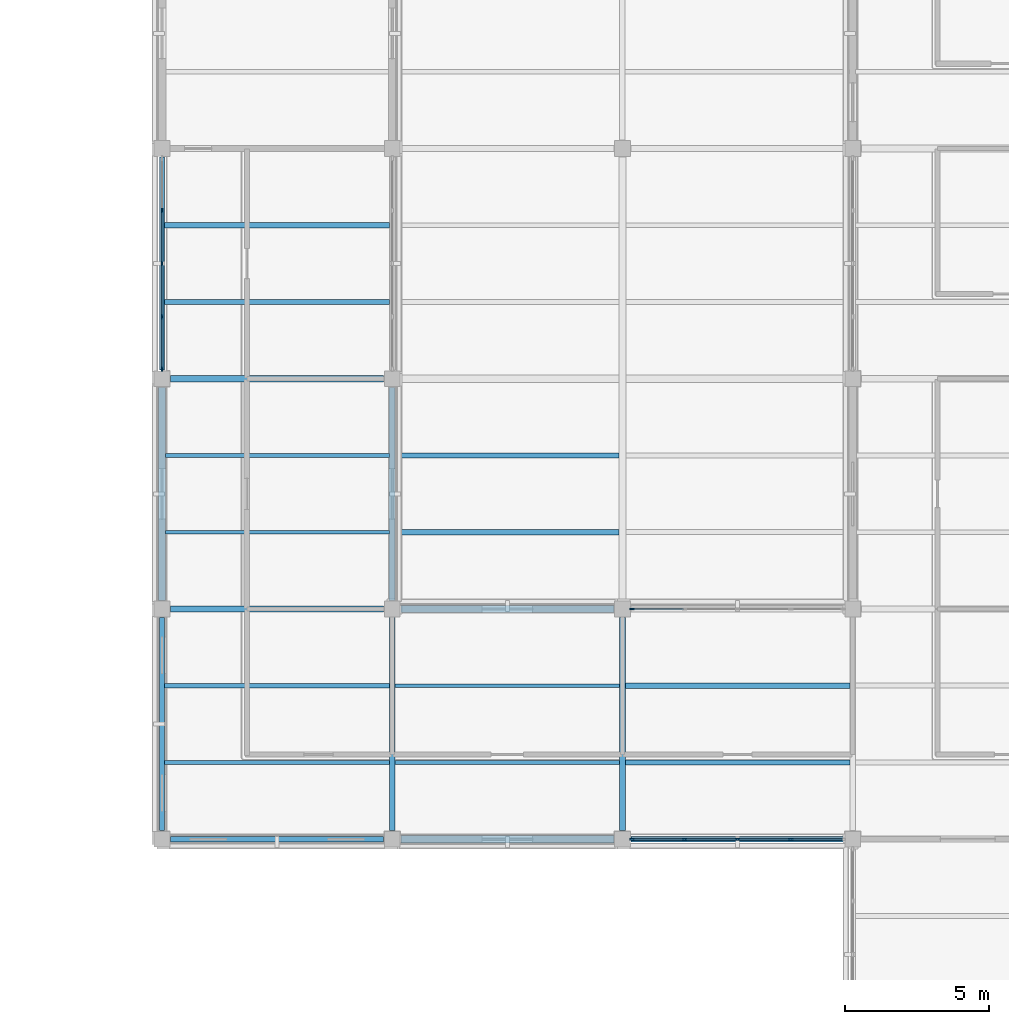
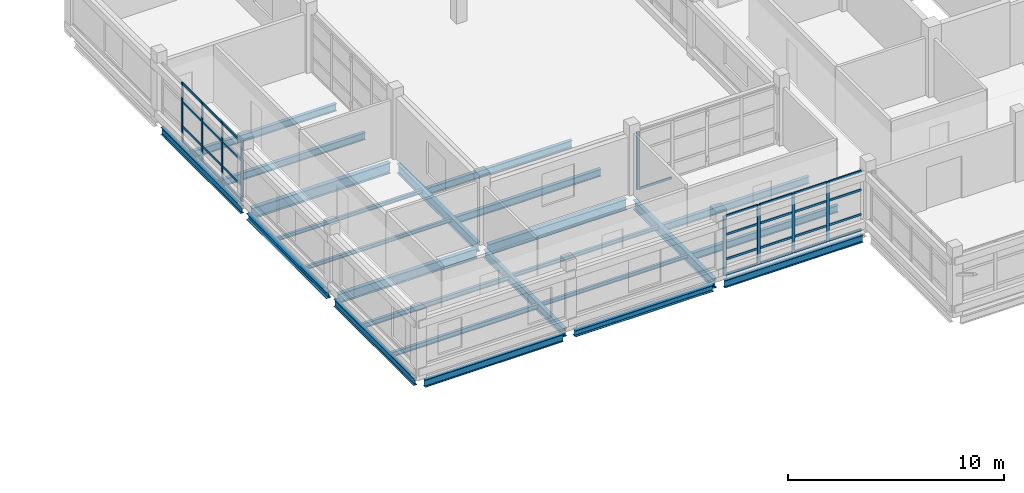
# One storey, part 38 of 107: 38 members, 24 beams, 3 elements without a shape of their own.
"""IFC4 building model written with IfcOpenShell, lengths in metres."""

from ifc_helpers import new_model, si_unit, derived_unit, direction, frame, origin, origin_2d, place, context, subcontext, project, spatial, rectangle, i_section, extrude, material, layer, layer_set, material_profile, profile_set, type_object, element, aggregate, save


model = new_model("IFC4")

# Units and contexts
model_context = context("Model", 3, precision=1e-05, world=origin(), true_north=direction((0.0, 1.0)))
body_context = subcontext(model_context, "Body", "Model", "MODEL_VIEW")
ifc_project = project(units=[si_unit("LENGTHUNIT", "METRE"), si_unit("AREAUNIT", "SQUARE_METRE"), si_unit("VOLUMEUNIT", "CUBIC_METRE"), si_unit("PLANEANGLEUNIT", "RADIAN"), si_unit("MASSUNIT", "GRAM", prefix="KILO"), derived_unit("THERMALTRANSMITTANCEUNIT", [(si_unit("MASSUNIT", "GRAM", prefix="KILO"), 1), (si_unit("TIMEUNIT", "SECOND"), -3), (si_unit("THERMODYNAMICTEMPERATUREUNIT", "KELVIN"), -1)])], contexts=[model_context])

# Site, building, storey
site_placement = place(None, origin())
site = spatial("IfcSite", under=ifc_project, at=site_placement, CompositionType="ELEMENT")
building_placement = place(site_placement, origin())
building = spatial("IfcBuilding", under=site, at=building_placement, Name="Veyamyaing Civic Hall", CompositionType="ELEMENT")
storey_placement = place(building_placement, frame((0.0, 0.0, 13.860107421875)))
storey = spatial("IfcBuildingStorey", under=building, at=storey_placement, Name="L03", CompositionType="ELEMENT", Elevation=13.860107421875)

# Beams
ifc_material_1 = material(Name="Steel ASTM A992", Category="steel")
ifc_material_profile_1 = material_profile(ifc_material_1, i_section(OverallWidth=0.22802734375, OverallDepth=0.60791015625, WebThickness=0.01123046875, FlangeThickness=0.017333984375, FilletRadius=0.012939453125, at=origin_2d()), Name="W610X113")
ifc_profile_set_1 = profile_set([ifc_material_profile_1], Name="Steel ASTM A992")
beam_type_1 = type_object("IfcBeamType", Name="B-06", PredefinedType="BEAM", material=ifc_profile_set_1)
for number, where, z_axis, x_axis, name in (
    (1, (144.300048828125, 16.0, -0.55908203125), (1.0, 0.0, 0.0), (0.0, 1.0, 0.0), "Girder B-06 L03 Grid C 19-20"),
    (2, (136.300048828125, 24.0, -0.55908203125), (1.0, 0.0, 0.0), (0.0, 1.0, 0.0), "Girder B-06 L03 Grid D 18-19"),
):
    element("IfcBeam", number, at=place(storey_placement, frame(where, z_axis=z_axis, x_axis=x_axis)), inside=storey, type_object=beam_type_1, Name=name, PredefinedType="BEAM", context=body_context, shape_type="SweptSolid", body=[
        extrude(i_section(OverallWidth=0.22802734375, OverallDepth=0.60791015625, WebThickness=0.01123046875, FlangeThickness=0.017333984375, FilletRadius=0.012939453125, at=origin_2d()), origin(), (0.0, 0.0, 1.0), 7.39990234375),
    ])
ifc_material_profile_2 = material_profile(ifc_material_1, i_section(OverallWidth=0.208984375, OverallDepth=0.532958984375, WebThickness=0.01025390625, FlangeThickness=0.015625, FilletRadius=0.011962890625, at=origin_2d()), Name="W530X92")
ifc_profile_set_2 = profile_set([ifc_material_profile_2], Name="Steel ASTM A992")
beam_type_2 = type_object("IfcBeamType", Name="B-07", PredefinedType="BEAM", material=ifc_profile_set_2)
for number, where, z_axis, x_axis, name in (
    (3, (144.0, 16.300048828125, -0.521728515625), (0.0, 1.0, 0.0), (-1.0, 0.0, 0.0), "Girder B-07 L03 Grid 19 C-D"),
    (4, (152.0, 8.300048828125, -0.521728515625), (0.0, 1.0, 0.0), (-1.0, 0.0, 0.0), "Girder B-07 L03 Grid 20 B-C"),
):
    element("IfcBeam", number, at=place(storey_placement, frame(where, z_axis=z_axis, x_axis=x_axis)), inside=storey, type_object=beam_type_2, Name=name, PredefinedType="BEAM", context=body_context, shape_type="SweptSolid", body=[
        extrude(i_section(OverallWidth=0.208984375, OverallDepth=0.532958984375, WebThickness=0.01025390625, FlangeThickness=0.015625, FilletRadius=0.011962890625, at=origin_2d()), origin(), (0.0, 0.0, 1.0), 7.39990234375),
    ])
ifc_material_profile_3 = material_profile(ifc_material_1, i_section(OverallWidth=0.179931640625, OverallDepth=0.4130859375, WebThickness=0.009765625, FlangeThickness=0.01611328125, FilletRadius=0.010009765625, at=origin_2d()), Name="W410X74")
ifc_profile_set_3 = profile_set([ifc_material_profile_3], Name="Steel ASTM A992")
beam_type_3 = type_object("IfcBeamType", Name="B-10", PredefinedType="SPANDREL", material=ifc_profile_set_3)
for number, where, z_axis, x_axis, name in (
    (5, (152.300048828125, 8.0, -0.461669921875), (1.0, 0.0, 0.0), (0.0, 1.0, 0.0), "Girder B-10 L03 Grid B 20-21"),
    (6, (136.0, 24.300048828125, -0.461669921875), (0.0, 1.0, 0.0), (-1.0, 0.0, 0.0), "Girder B-10 L03 Grid 18 D-E"),
):
    element("IfcBeam", number, at=place(storey_placement, frame(where, z_axis=z_axis, x_axis=x_axis)), inside=storey, type_object=beam_type_3, Name=name, PredefinedType="SPANDREL", context=body_context, shape_type="SweptSolid", body=[
        extrude(i_section(OverallWidth=0.179931640625, OverallDepth=0.4130859375, WebThickness=0.009765625, FlangeThickness=0.01611328125, FilletRadius=0.010009765625, at=origin_2d()), origin(), (0.0, 0.0, 1.0), 7.39990234375),
    ])
ifc_material_profile_4 = material_profile(ifc_material_1, i_section(OverallWidth=0.2109375, OverallDepth=0.5390625, WebThickness=0.01171875, FlangeThickness=0.018798828125, FilletRadius=0.011962890625, at=origin_2d()), Name="W530X109")
ifc_profile_set_4 = profile_set([ifc_material_profile_4], Name="Steel ASTM A992")
beam_type_4 = type_object("IfcBeamType", Name="B-17", PredefinedType="BEAM", material=ifc_profile_set_4)
beam_1_placement = place(storey_placement, frame((136.300048828125, 16.0, -0.524658203125), z_axis=(1.0, 0.0, 0.0), x_axis=(0.0, 1.0, 0.0)))
element("IfcBeam", 7, at=beam_1_placement, inside=storey, type_object=beam_type_4, Name="Girder B-17 L03 Grid C 18-19", PredefinedType="BEAM", context=body_context, shape_type="SweptSolid", body=[
    extrude(i_section(OverallWidth=0.2109375, OverallDepth=0.5390625, WebThickness=0.01171875, FlangeThickness=0.018798828125, FilletRadius=0.011962890625, at=origin_2d()), origin(), (0.0, 0.0, 1.0), 7.39990234375),
])
ifc_material_profile_5 = material_profile(ifc_material_1, i_section(OverallWidth=0.194091796875, OverallDepth=0.468994140625, WebThickness=0.0126953125, FlangeThickness=0.0205078125, FilletRadius=0.010009765625, at=origin_2d()), Name="W460X106")
ifc_profile_set_5 = profile_set([ifc_material_profile_5], Name="Steel ASTM A992")
beam_type_5 = type_object("IfcBeamType", Name="B-18", PredefinedType="BEAM", material=ifc_profile_set_5)
beam_2_placement = place(storey_placement, frame((144.0, 8.300048828125, -0.489501953125), z_axis=(0.0, 1.0, 0.0), x_axis=(-1.0, 0.0, 0.0)))
element("IfcBeam", 8, at=beam_2_placement, inside=storey, type_object=beam_type_5, Name="Girder B-18 L03 Grid 19 B-C", PredefinedType="BEAM", context=body_context, shape_type="SweptSolid", body=[
    extrude(i_section(OverallWidth=0.194091796875, OverallDepth=0.468994140625, WebThickness=0.0126953125, FlangeThickness=0.0205078125, FilletRadius=0.010009765625, at=origin_2d()), origin(), (0.0, 0.0, 1.0), 7.39990234375),
])
ifc_material_profile_6 = material_profile(ifc_material_1, i_section(OverallWidth=0.180908203125, OverallDepth=0.4169921875, WebThickness=0.010986328125, FlangeThickness=0.018310546875, FilletRadius=0.010009765625, at=origin_2d()), Name="W410X85")
ifc_profile_set_6 = profile_set([ifc_material_profile_6], Name="Steel ASTM A992")
beam_type_6 = type_object("IfcBeamType", Name="B-19", PredefinedType="SPANDREL", material=ifc_profile_set_6)
for number, where, z_axis, x_axis, name in (
    (9, (136.300048828125, 8.0, -0.463623046875), (1.0, 0.0, 0.0), (0.0, 1.0, 0.0), "Girder B-19 L03 Grid B 18-19"),
    (10, (136.0, 8.300048828125, -0.463623046875), (0.0, 1.0, 0.0), (-1.0, 0.0, 0.0), "Girder B-19 L03 Grid 18 B-C"),
):
    element("IfcBeam", number, at=place(storey_placement, frame(where, z_axis=z_axis, x_axis=x_axis)), inside=storey, type_object=beam_type_6, Name=name, PredefinedType="SPANDREL", context=body_context, shape_type="SweptSolid", body=[
        extrude(i_section(OverallWidth=0.180908203125, OverallDepth=0.4169921875, WebThickness=0.010986328125, FlangeThickness=0.018310546875, FilletRadius=0.010009765625, at=origin_2d()), origin(), (0.0, 0.0, 1.0), 7.39990234375),
    ])
ifc_material_profile_7 = material_profile(ifc_material_1, i_section(OverallWidth=0.25390625, OverallDepth=0.35302734375, WebThickness=0.009521484375, FlangeThickness=0.016357421875, FilletRadius=0.011962890625, at=origin_2d()), Name="W360X91")
ifc_profile_set_7 = profile_set([ifc_material_profile_7], Name="Steel ASTM A992")
beam_type_7 = type_object("IfcBeamType", Name="B-20", PredefinedType="SPANDREL", material=ifc_profile_set_7)
for number, where, z_axis, x_axis, name in (
    (11, (144.300048828125, 8.0, -0.431640625), (1.0, 0.0, 0.0), (0.0, 1.0, 0.0), "Girder B-20 L03 Grid B 19-20"),
    (12, (136.0, 16.300048828125, -0.431640625), (0.0, 1.0, 0.0), (-1.0, 0.0, 0.0), "Girder B-20 L03 Grid 18 C-D"),
):
    element("IfcBeam", number, at=place(storey_placement, frame(where, z_axis=z_axis, x_axis=x_axis)), inside=storey, type_object=beam_type_7, Name=name, PredefinedType="SPANDREL", context=body_context, shape_type="SweptSolid", body=[
        extrude(i_section(OverallWidth=0.25390625, OverallDepth=0.35302734375, WebThickness=0.009521484375, FlangeThickness=0.016357421875, FilletRadius=0.011962890625, at=origin_2d()), origin(), (0.0, 0.0, 1.0), 7.39990234375),
    ])

# Curtain wall, members
ifc_material_2 = material(Name="Anodised aluminium 6063-T6", Category="aluminium")
ifc_layer = layer(ifc_material_2, 0.159912109375, Name="Anodised aluminium 6063-T6")
ifc_layer_set = layer_set([ifc_layer], Name="Anodised aluminium 6063-T6")
curtain_wall_type = type_object("IfcCurtainWallType", Name="CW-07", PredefinedType="NOTDEFINED", material=ifc_layer_set)
curtain_wall_1_placement = place(storey_placement, origin())
curtain_wall_1 = element("IfcCurtainWall", 13, at=curtain_wall_1_placement, inside=storey, type_object=curtain_wall_type, Name="Unitized curtain wall CW-07 L03 W 18.4", PredefinedType="NOTDEFINED")
ifc_material_profile_8 = material_profile(ifc_material_2, rectangle(XDim=0.06494140625, YDim=0.159912109375, at=origin_2d()), Name="ALU-MUL-65X160")
ifc_profile_set_8 = profile_set([ifc_material_profile_8], Name="Anodised aluminium 6063-T6")
member_type_1 = type_object("IfcMemberType", Name="CWM-01", PredefinedType="MULLION", material=ifc_profile_set_8)
member_1_placement = place(storey_placement, frame((136.0, 24.33740234375, 0.0), z_axis=(0.0, 0.0, 1.0), x_axis=(-1.0, 0.0, 0.0)))
member_1 = element("IfcMember", 14, at=member_1_placement, type_object=member_type_1, Name="CW-07 mullion 1", PredefinedType="MULLION", context=body_context, shape_type="SweptSolid", body=[
    extrude(rectangle(XDim=0.06494140625, YDim=0.159912109375, at=origin_2d()), origin(), (0.0, 0.0, 1.0), 3.36181640625),
])
member_2_placement = place(storey_placement, frame((136.0, 26.152587890625, 0.0), z_axis=(0.0, 0.0, 1.0), x_axis=(-1.0, 0.0, 0.0)))
member_2 = element("IfcMember", 15, at=member_2_placement, type_object=member_type_1, Name="CW-07 mullion 2", PredefinedType="MULLION", context=body_context, shape_type="SweptSolid", body=[
    extrude(rectangle(XDim=0.06494140625, YDim=0.159912109375, at=origin_2d()), origin(), (0.0, 0.0, 1.0), 3.36181640625),
])
member_3_placement = place(storey_placement, frame((136.0, 28.0, 0.0), z_axis=(0.0, 0.0, 1.0), x_axis=(-1.0, 0.0, 0.0)))
member_3 = element("IfcMember", 16, at=member_3_placement, type_object=member_type_1, Name="CW-07 mullion 3", PredefinedType="MULLION", context=body_context, shape_type="SweptSolid", body=[
    extrude(rectangle(XDim=0.06494140625, YDim=0.159912109375, at=origin_2d()), origin(), (0.0, 0.0, 1.0), 3.36181640625),
])
member_4_placement = place(storey_placement, frame((136.0, 29.847412109375, 0.0), z_axis=(0.0, 0.0, 1.0), x_axis=(-1.0, 0.0, 0.0)))
member_4 = element("IfcMember", 17, at=member_4_placement, type_object=member_type_1, Name="CW-07 mullion 4", PredefinedType="MULLION", context=body_context, shape_type="SweptSolid", body=[
    extrude(rectangle(XDim=0.06494140625, YDim=0.159912109375, at=origin_2d()), origin(), (0.0, 0.0, 1.0), 3.36181640625),
])

curtain_wall_2_placement = place(storey_placement, origin())
curtain_wall_2 = element("IfcCurtainWall", 18, at=curtain_wall_2_placement, inside=storey, type_object=curtain_wall_type, Name="Unitized curtain wall CW-07 L03 S 20.2", PredefinedType="NOTDEFINED")
member_5_placement = place(storey_placement, frame((152.33740234375, 8.0, 0.0), z_axis=(0.0, 0.0, 1.0), x_axis=(0.0, 1.0, 0.0)))
member_5 = element("IfcMember", 19, at=member_5_placement, type_object=member_type_1, Name="CW-07 mullion 1", PredefinedType="MULLION", context=body_context, shape_type="SweptSolid", body=[
    extrude(rectangle(XDim=0.06494140625, YDim=0.159912109375, at=origin_2d()), origin(), (0.0, 0.0, 1.0), 3.366943359375),
])
member_6_placement = place(storey_placement, frame((154.152587890625, 8.0, 0.0), z_axis=(0.0, 0.0, 1.0), x_axis=(0.0, 1.0, 0.0)))
member_6 = element("IfcMember", 20, at=member_6_placement, type_object=member_type_1, Name="CW-07 mullion 2", PredefinedType="MULLION", context=body_context, shape_type="SweptSolid", body=[
    extrude(rectangle(XDim=0.06494140625, YDim=0.159912109375, at=origin_2d()), origin(), (0.0, 0.0, 1.0), 3.366943359375),
])
member_7_placement = place(storey_placement, frame((156.0, 8.0, 0.0), z_axis=(0.0, 0.0, 1.0), x_axis=(0.0, 1.0, 0.0)))
member_7 = element("IfcMember", 21, at=member_7_placement, type_object=member_type_1, Name="CW-07 mullion 3", PredefinedType="MULLION", context=body_context, shape_type="SweptSolid", body=[
    extrude(rectangle(XDim=0.06494140625, YDim=0.159912109375, at=origin_2d()), origin(), (0.0, 0.0, 1.0), 3.366943359375),
])
member_8_placement = place(storey_placement, frame((157.847412109375, 8.0, 0.0), z_axis=(0.0, 0.0, 1.0), x_axis=(0.0, 1.0, 0.0)))
member_8 = element("IfcMember", 22, at=member_8_placement, type_object=member_type_1, Name="CW-07 mullion 4", PredefinedType="MULLION", context=body_context, shape_type="SweptSolid", body=[
    extrude(rectangle(XDim=0.06494140625, YDim=0.159912109375, at=origin_2d()), origin(), (0.0, 0.0, 1.0), 3.366943359375),
])

# Curtain wall, member
curtain_wall_3_placement = place(storey_placement, origin())
curtain_wall_3 = element("IfcCurtainWall", 23, at=curtain_wall_3_placement, inside=storey, type_object=curtain_wall_type, Name="Unitized curtain wall CW-07 L03 N 20.2", PredefinedType="NOTDEFINED")
member_9_placement = place(storey_placement, frame((152.33740234375, 16.0, 0.0), z_axis=(0.0, 0.0, 1.0), x_axis=(0.0, 1.0, 0.0)))
member_9 = element("IfcMember", 24, at=member_9_placement, type_object=member_type_1, Name="CW-07 mullion 1", PredefinedType="MULLION", context=body_context, shape_type="SweptSolid", body=[
    extrude(rectangle(XDim=0.06494140625, YDim=0.159912109375, at=origin_2d()), origin(), (0.0, 0.0, 1.0), 3.260009765625),
])

# Member
ifc_material_profile_9 = material_profile(ifc_material_2, rectangle(XDim=0.06494140625, YDim=0.1201171875, at=origin_2d()), Name="ALU-TRN-65X120")
ifc_profile_set_9 = profile_set([ifc_material_profile_9], Name="Anodised aluminium 6063-T6")
member_type_2 = type_object("IfcMemberType", Name="CWT-01", PredefinedType="USERDEFINED", material=ifc_profile_set_9)
member_10_placement = place(storey_placement, frame((136.0, 24.3701171875, 0.032470703125), z_axis=(0.0, 1.0, 0.0), x_axis=(-1.0, 0.0, 0.0)))
member_10 = element("IfcMember", 25, at=member_10_placement, type_object=member_type_2, Name="CW-07 transom 1.1", ObjectType="TRANSOM", PredefinedType="USERDEFINED", context=body_context, shape_type="SweptSolid", body=[
    extrude(rectangle(XDim=0.06494140625, YDim=0.1201171875, at=origin_2d()), origin(), (0.0, 0.0, 1.0), 1.75),
])

member_11_placement = place(storey_placement, frame((136.0, 24.3701171875, 0.89990234375), z_axis=(0.0, 1.0, 0.0), x_axis=(-1.0, 0.0, 0.0)))
member_11 = element("IfcMember", 26, at=member_11_placement, type_object=member_type_2, Name="CW-07 transom 1.2", ObjectType="TRANSOM", PredefinedType="USERDEFINED", context=body_context, shape_type="SweptSolid", body=[
    extrude(rectangle(XDim=0.06494140625, YDim=0.1201171875, at=origin_2d()), origin(), (0.0, 0.0, 1.0), 1.75),
])

member_12_placement = place(storey_placement, frame((136.0, 24.3701171875, 2.2861328125), z_axis=(0.0, 1.0, 0.0), x_axis=(-1.0, 0.0, 0.0)))
member_12 = element("IfcMember", 27, at=member_12_placement, type_object=member_type_2, Name="CW-07 transom 1.3", ObjectType="TRANSOM", PredefinedType="USERDEFINED", context=body_context, shape_type="SweptSolid", body=[
    extrude(rectangle(XDim=0.06494140625, YDim=0.1201171875, at=origin_2d()), origin(), (0.0, 0.0, 1.0), 1.75),
])

member_13_placement = place(storey_placement, frame((136.0, 24.3701171875, 3.329345703125), z_axis=(0.0, 1.0, 0.0), x_axis=(-1.0, 0.0, 0.0)))
member_13 = element("IfcMember", 28, at=member_13_placement, type_object=member_type_2, Name="CW-07 transom 1.4", ObjectType="TRANSOM", PredefinedType="USERDEFINED", context=body_context, shape_type="SweptSolid", body=[
    extrude(rectangle(XDim=0.06494140625, YDim=0.1201171875, at=origin_2d()), origin(), (0.0, 0.0, 1.0), 1.75),
])

member_14_placement = place(storey_placement, frame((136.0, 26.18505859375, 0.032470703125), z_axis=(0.0, 1.0, 0.0), x_axis=(-1.0, 0.0, 0.0)))
member_14 = element("IfcMember", 29, at=member_14_placement, type_object=member_type_2, Name="CW-07 transom 2.1", ObjectType="TRANSOM", PredefinedType="USERDEFINED", context=body_context, shape_type="SweptSolid", body=[
    extrude(rectangle(XDim=0.06494140625, YDim=0.1201171875, at=origin_2d()), origin(), (0.0, 0.0, 1.0), 1.782470703125),
])

member_15_placement = place(storey_placement, frame((136.0, 26.18505859375, 0.89990234375), z_axis=(0.0, 1.0, 0.0), x_axis=(-1.0, 0.0, 0.0)))
member_15 = element("IfcMember", 30, at=member_15_placement, type_object=member_type_2, Name="CW-07 transom 2.2", ObjectType="TRANSOM", PredefinedType="USERDEFINED", context=body_context, shape_type="SweptSolid", body=[
    extrude(rectangle(XDim=0.06494140625, YDim=0.1201171875, at=origin_2d()), origin(), (0.0, 0.0, 1.0), 1.782470703125),
])

member_16_placement = place(storey_placement, frame((136.0, 26.18505859375, 2.2861328125), z_axis=(0.0, 1.0, 0.0), x_axis=(-1.0, 0.0, 0.0)))
member_16 = element("IfcMember", 31, at=member_16_placement, type_object=member_type_2, Name="CW-07 transom 2.3", ObjectType="TRANSOM", PredefinedType="USERDEFINED", context=body_context, shape_type="SweptSolid", body=[
    extrude(rectangle(XDim=0.06494140625, YDim=0.1201171875, at=origin_2d()), origin(), (0.0, 0.0, 1.0), 1.782470703125),
])

member_17_placement = place(storey_placement, frame((136.0, 26.18505859375, 3.329345703125), z_axis=(0.0, 1.0, 0.0), x_axis=(-1.0, 0.0, 0.0)))
member_17 = element("IfcMember", 32, at=member_17_placement, type_object=member_type_2, Name="CW-07 transom 2.4", ObjectType="TRANSOM", PredefinedType="USERDEFINED", context=body_context, shape_type="SweptSolid", body=[
    extrude(rectangle(XDim=0.06494140625, YDim=0.1201171875, at=origin_2d()), origin(), (0.0, 0.0, 1.0), 1.782470703125),
])

member_18_placement = place(storey_placement, frame((136.0, 28.032470703125, 0.032470703125), z_axis=(0.0, 1.0, 0.0), x_axis=(-1.0, 0.0, 0.0)))
member_18 = element("IfcMember", 33, at=member_18_placement, type_object=member_type_2, Name="CW-07 transom 3.1", ObjectType="TRANSOM", PredefinedType="USERDEFINED", context=body_context, shape_type="SweptSolid", body=[
    extrude(rectangle(XDim=0.06494140625, YDim=0.1201171875, at=origin_2d()), origin(), (0.0, 0.0, 1.0), 1.782470703125),
])

member_19_placement = place(storey_placement, frame((136.0, 28.032470703125, 0.89990234375), z_axis=(0.0, 1.0, 0.0), x_axis=(-1.0, 0.0, 0.0)))
member_19 = element("IfcMember", 34, at=member_19_placement, type_object=member_type_2, Name="CW-07 transom 3.2", ObjectType="TRANSOM", PredefinedType="USERDEFINED", context=body_context, shape_type="SweptSolid", body=[
    extrude(rectangle(XDim=0.06494140625, YDim=0.1201171875, at=origin_2d()), origin(), (0.0, 0.0, 1.0), 1.782470703125),
])

member_20_placement = place(storey_placement, frame((136.0, 28.032470703125, 2.2861328125), z_axis=(0.0, 1.0, 0.0), x_axis=(-1.0, 0.0, 0.0)))
member_20 = element("IfcMember", 35, at=member_20_placement, type_object=member_type_2, Name="CW-07 transom 3.3", ObjectType="TRANSOM", PredefinedType="USERDEFINED", context=body_context, shape_type="SweptSolid", body=[
    extrude(rectangle(XDim=0.06494140625, YDim=0.1201171875, at=origin_2d()), origin(), (0.0, 0.0, 1.0), 1.782470703125),
])

member_21_placement = place(storey_placement, frame((136.0, 28.032470703125, 3.329345703125), z_axis=(0.0, 1.0, 0.0), x_axis=(-1.0, 0.0, 0.0)))
member_21 = element("IfcMember", 36, at=member_21_placement, type_object=member_type_2, Name="CW-07 transom 3.4", ObjectType="TRANSOM", PredefinedType="USERDEFINED", context=body_context, shape_type="SweptSolid", body=[
    extrude(rectangle(XDim=0.06494140625, YDim=0.1201171875, at=origin_2d()), origin(), (0.0, 0.0, 1.0), 1.782470703125),
])

aggregate(curtain_wall_1, [member_1, member_2, member_3, member_4, member_10, member_11, member_12, member_13, member_14, member_15, member_16, member_17, member_18, member_19, member_20, member_21])

member_22_placement = place(storey_placement, frame((152.3701171875, 8.0, 0.032470703125), z_axis=(1.0, 0.0, 0.0), x_axis=(0.0, 1.0, 0.0)))
member_22 = element("IfcMember", 37, at=member_22_placement, type_object=member_type_2, Name="CW-07 transom 1.1", ObjectType="TRANSOM", PredefinedType="USERDEFINED", context=body_context, shape_type="SweptSolid", body=[
    extrude(rectangle(XDim=0.06494140625, YDim=0.1201171875, at=origin_2d()), origin(), (0.0, 0.0, 1.0), 1.75),
])

member_23_placement = place(storey_placement, frame((152.3701171875, 8.0, 0.89990234375), z_axis=(1.0, 0.0, 0.0), x_axis=(0.0, 1.0, 0.0)))
member_23 = element("IfcMember", 38, at=member_23_placement, type_object=member_type_2, Name="CW-07 transom 1.2", ObjectType="TRANSOM", PredefinedType="USERDEFINED", context=body_context, shape_type="SweptSolid", body=[
    extrude(rectangle(XDim=0.06494140625, YDim=0.1201171875, at=origin_2d()), origin(), (0.0, 0.0, 1.0), 1.75),
])

member_24_placement = place(storey_placement, frame((152.3701171875, 8.0, 2.28955078125), z_axis=(1.0, 0.0, 0.0), x_axis=(0.0, 1.0, 0.0)))
member_24 = element("IfcMember", 39, at=member_24_placement, type_object=member_type_2, Name="CW-07 transom 1.3", ObjectType="TRANSOM", PredefinedType="USERDEFINED", context=body_context, shape_type="SweptSolid", body=[
    extrude(rectangle(XDim=0.06494140625, YDim=0.1201171875, at=origin_2d()), origin(), (0.0, 0.0, 1.0), 1.75),
])

member_25_placement = place(storey_placement, frame((152.3701171875, 8.0, 3.33447265625), z_axis=(1.0, 0.0, 0.0), x_axis=(0.0, 1.0, 0.0)))
member_25 = element("IfcMember", 40, at=member_25_placement, type_object=member_type_2, Name="CW-07 transom 1.4", ObjectType="TRANSOM", PredefinedType="USERDEFINED", context=body_context, shape_type="SweptSolid", body=[
    extrude(rectangle(XDim=0.06494140625, YDim=0.1201171875, at=origin_2d()), origin(), (0.0, 0.0, 1.0), 1.75),
])

member_26_placement = place(storey_placement, frame((154.18505859375, 8.0, 0.032470703125), z_axis=(1.0, 0.0, 0.0), x_axis=(0.0, 1.0, 0.0)))
member_26 = element("IfcMember", 41, at=member_26_placement, type_object=member_type_2, Name="CW-07 transom 2.1", ObjectType="TRANSOM", PredefinedType="USERDEFINED", context=body_context, shape_type="SweptSolid", body=[
    extrude(rectangle(XDim=0.06494140625, YDim=0.1201171875, at=origin_2d()), origin(), (0.0, 0.0, 1.0), 1.782470703125),
])

member_27_placement = place(storey_placement, frame((154.18505859375, 8.0, 0.89990234375), z_axis=(1.0, 0.0, 0.0), x_axis=(0.0, 1.0, 0.0)))
member_27 = element("IfcMember", 42, at=member_27_placement, type_object=member_type_2, Name="CW-07 transom 2.2", ObjectType="TRANSOM", PredefinedType="USERDEFINED", context=body_context, shape_type="SweptSolid", body=[
    extrude(rectangle(XDim=0.06494140625, YDim=0.1201171875, at=origin_2d()), origin(), (0.0, 0.0, 1.0), 1.782470703125),
])

member_28_placement = place(storey_placement, frame((154.18505859375, 8.0, 2.28955078125), z_axis=(1.0, 0.0, 0.0), x_axis=(0.0, 1.0, 0.0)))
member_28 = element("IfcMember", 43, at=member_28_placement, type_object=member_type_2, Name="CW-07 transom 2.3", ObjectType="TRANSOM", PredefinedType="USERDEFINED", context=body_context, shape_type="SweptSolid", body=[
    extrude(rectangle(XDim=0.06494140625, YDim=0.1201171875, at=origin_2d()), origin(), (0.0, 0.0, 1.0), 1.782470703125),
])

member_29_placement = place(storey_placement, frame((154.18505859375, 8.0, 3.33447265625), z_axis=(1.0, 0.0, 0.0), x_axis=(0.0, 1.0, 0.0)))
member_29 = element("IfcMember", 44, at=member_29_placement, type_object=member_type_2, Name="CW-07 transom 2.4", ObjectType="TRANSOM", PredefinedType="USERDEFINED", context=body_context, shape_type="SweptSolid", body=[
    extrude(rectangle(XDim=0.06494140625, YDim=0.1201171875, at=origin_2d()), origin(), (0.0, 0.0, 1.0), 1.782470703125),
])

member_30_placement = place(storey_placement, frame((156.032470703125, 8.0, 0.032470703125), z_axis=(1.0, 0.0, 0.0), x_axis=(0.0, 1.0, 0.0)))
member_30 = element("IfcMember", 45, at=member_30_placement, type_object=member_type_2, Name="CW-07 transom 3.1", ObjectType="TRANSOM", PredefinedType="USERDEFINED", context=body_context, shape_type="SweptSolid", body=[
    extrude(rectangle(XDim=0.06494140625, YDim=0.1201171875, at=origin_2d()), origin(), (0.0, 0.0, 1.0), 1.782470703125),
])

member_31_placement = place(storey_placement, frame((156.032470703125, 8.0, 0.89990234375), z_axis=(1.0, 0.0, 0.0), x_axis=(0.0, 1.0, 0.0)))
member_31 = element("IfcMember", 46, at=member_31_placement, type_object=member_type_2, Name="CW-07 transom 3.2", ObjectType="TRANSOM", PredefinedType="USERDEFINED", context=body_context, shape_type="SweptSolid", body=[
    extrude(rectangle(XDim=0.06494140625, YDim=0.1201171875, at=origin_2d()), origin(), (0.0, 0.0, 1.0), 1.782470703125),
])

member_32_placement = place(storey_placement, frame((156.032470703125, 8.0, 2.28955078125), z_axis=(1.0, 0.0, 0.0), x_axis=(0.0, 1.0, 0.0)))
member_32 = element("IfcMember", 47, at=member_32_placement, type_object=member_type_2, Name="CW-07 transom 3.3", ObjectType="TRANSOM", PredefinedType="USERDEFINED", context=body_context, shape_type="SweptSolid", body=[
    extrude(rectangle(XDim=0.06494140625, YDim=0.1201171875, at=origin_2d()), origin(), (0.0, 0.0, 1.0), 1.782470703125),
])

member_33_placement = place(storey_placement, frame((156.032470703125, 8.0, 3.33447265625), z_axis=(1.0, 0.0, 0.0), x_axis=(0.0, 1.0, 0.0)))
member_33 = element("IfcMember", 48, at=member_33_placement, type_object=member_type_2, Name="CW-07 transom 3.4", ObjectType="TRANSOM", PredefinedType="USERDEFINED", context=body_context, shape_type="SweptSolid", body=[
    extrude(rectangle(XDim=0.06494140625, YDim=0.1201171875, at=origin_2d()), origin(), (0.0, 0.0, 1.0), 1.782470703125),
])

member_34_placement = place(storey_placement, frame((157.8798828125, 8.0, 0.032470703125), z_axis=(1.0, 0.0, 0.0), x_axis=(0.0, 1.0, 0.0)))
member_34 = element("IfcMember", 49, at=member_34_placement, type_object=member_type_2, Name="CW-07 transom 4.1", ObjectType="TRANSOM", PredefinedType="USERDEFINED", context=body_context, shape_type="SweptSolid", body=[
    extrude(rectangle(XDim=0.06494140625, YDim=0.1201171875, at=origin_2d()), origin(), (0.0, 0.0, 1.0), 1.75),
])

member_35_placement = place(storey_placement, frame((157.8798828125, 8.0, 0.89990234375), z_axis=(1.0, 0.0, 0.0), x_axis=(0.0, 1.0, 0.0)))
member_35 = element("IfcMember", 50, at=member_35_placement, type_object=member_type_2, Name="CW-07 transom 4.2", ObjectType="TRANSOM", PredefinedType="USERDEFINED", context=body_context, shape_type="SweptSolid", body=[
    extrude(rectangle(XDim=0.06494140625, YDim=0.1201171875, at=origin_2d()), origin(), (0.0, 0.0, 1.0), 1.75),
])

member_36_placement = place(storey_placement, frame((157.8798828125, 8.0, 2.28955078125), z_axis=(1.0, 0.0, 0.0), x_axis=(0.0, 1.0, 0.0)))
member_36 = element("IfcMember", 51, at=member_36_placement, type_object=member_type_2, Name="CW-07 transom 4.3", ObjectType="TRANSOM", PredefinedType="USERDEFINED", context=body_context, shape_type="SweptSolid", body=[
    extrude(rectangle(XDim=0.06494140625, YDim=0.1201171875, at=origin_2d()), origin(), (0.0, 0.0, 1.0), 1.75),
])

member_37_placement = place(storey_placement, frame((157.8798828125, 8.0, 3.33447265625), z_axis=(1.0, 0.0, 0.0), x_axis=(0.0, 1.0, 0.0)))
member_37 = element("IfcMember", 52, at=member_37_placement, type_object=member_type_2, Name="CW-07 transom 4.4", ObjectType="TRANSOM", PredefinedType="USERDEFINED", context=body_context, shape_type="SweptSolid", body=[
    extrude(rectangle(XDim=0.06494140625, YDim=0.1201171875, at=origin_2d()), origin(), (0.0, 0.0, 1.0), 1.75),
])

aggregate(curtain_wall_2, [member_5, member_6, member_7, member_8, member_22, member_23, member_24, member_25, member_26, member_27, member_28, member_29, member_30, member_31, member_32, member_33, member_34, member_35, member_36, member_37])

member_38_placement = place(storey_placement, frame((152.3701171875, 16.0, 0.032470703125), z_axis=(1.0, 0.0, 0.0), x_axis=(0.0, 1.0, 0.0)))
member_38 = element("IfcMember", 53, at=member_38_placement, type_object=member_type_2, Name="CW-07 transom 1.1", ObjectType="TRANSOM", PredefinedType="USERDEFINED", context=body_context, shape_type="SweptSolid", body=[
    extrude(rectangle(XDim=0.06494140625, YDim=0.1201171875, at=origin_2d()), origin(), (0.0, 0.0, 1.0), 1.75),
])

aggregate(curtain_wall_3, [member_9, member_38])

# Beams
ifc_material_profile_10 = material_profile(ifc_material_1, i_section(OverallWidth=0.177978515625, OverallDepth=0.406982421875, WebThickness=0.0078125, FlangeThickness=0.0126953125, FilletRadius=0.010009765625, at=origin_2d()), Name="W410X60")
ifc_profile_set_10 = profile_set([ifc_material_profile_10], Name="Steel ASTM A992")
beam_type_8 = type_object("IfcBeamType", Name="J-01", PredefinedType="JOIST", material=ifc_profile_set_10)
for number, where, z_axis, x_axis, name in (
    (54, (136.087890625, 26.666748046875, -0.45849609375), (1.0, 0.0, 0.0), (0.0, 1.0, 0.0), "Composite floor joist J-01 L03 18.4.1"),
    (55, (136.087890625, 29.333251953125, -0.45849609375), (1.0, 0.0, 0.0), (0.0, 1.0, 0.0), "Composite floor joist J-01 L03 18.4.2"),
):
    element("IfcBeam", number, at=place(storey_placement, frame(where, z_axis=z_axis, x_axis=x_axis)), inside=storey, type_object=beam_type_8, Name=name, PredefinedType="JOIST", context=body_context, shape_type="SweptSolid", body=[
        extrude(i_section(OverallWidth=0.177978515625, OverallDepth=0.406982421875, WebThickness=0.0078125, FlangeThickness=0.0126953125, FilletRadius=0.010009765625, at=origin_2d()), origin(), (0.0, 0.0, 1.0), 7.818115234375),
    ])
for number, where, z_axis, x_axis, name in (
    (56, (144.1025390625, 18.666748046875, -0.45849609375), (1.0, 0.0, 0.0), (0.0, 1.0, 0.0), "Composite floor joist J-01 L03 19.3.1"),
    (57, (144.1025390625, 21.333251953125, -0.45849609375), (1.0, 0.0, 0.0), (0.0, 1.0, 0.0), "Composite floor joist J-01 L03 19.3.2"),
):
    element("IfcBeam", number, at=place(storey_placement, frame(where, z_axis=z_axis, x_axis=x_axis)), inside=storey, type_object=beam_type_8, Name=name, PredefinedType="JOIST", context=body_context, shape_type="SweptSolid", body=[
        extrude(i_section(OverallWidth=0.177978515625, OverallDepth=0.406982421875, WebThickness=0.0078125, FlangeThickness=0.0126953125, FilletRadius=0.010009765625, at=origin_2d()), origin(), (0.0, 0.0, 1.0), 7.7724609375),
    ])
for number, where, z_axis, x_axis, name in (
    (58, (152.1025390625, 10.666748046875, -0.45849609375), (1.0, 0.0, 0.0), (0.0, 1.0, 0.0), "Composite floor joist J-01 L03 20.2.1"),
    (59, (152.1025390625, 13.333251953125, -0.45849609375), (1.0, 0.0, 0.0), (0.0, 1.0, 0.0), "Composite floor joist J-01 L03 20.2.2"),
):
    element("IfcBeam", number, at=place(storey_placement, frame(where, z_axis=z_axis, x_axis=x_axis)), inside=storey, type_object=beam_type_8, Name=name, PredefinedType="JOIST", context=body_context, shape_type="SweptSolid", body=[
        extrude(i_section(OverallWidth=0.177978515625, OverallDepth=0.406982421875, WebThickness=0.0078125, FlangeThickness=0.0126953125, FilletRadius=0.010009765625, at=origin_2d()), origin(), (0.0, 0.0, 1.0), 7.803466796875),
    ])
ifc_material_profile_11 = material_profile(ifc_material_1, i_section(OverallWidth=0.14794921875, OverallDepth=0.26611328125, WebThickness=0.007568359375, FlangeThickness=0.012939453125, FilletRadius=0.010009765625, at=origin_2d()), Name="W250X45")
ifc_profile_set_11 = profile_set([ifc_material_profile_11], Name="Steel ASTM A992")
beam_type_9 = type_object("IfcBeamType", Name="J-07", PredefinedType="JOIST", material=ifc_profile_set_11)
for number, where, z_axis, x_axis, name in (
    (60, (136.08837890625, 10.666748046875, -0.38818359375), (1.0, 0.0, 0.0), (0.0, 1.0, 0.0), "Composite floor joist J-07 L03 18.2.1"),
    (61, (136.08837890625, 13.333251953125, -0.38818359375), (1.0, 0.0, 0.0), (0.0, 1.0, 0.0), "Composite floor joist J-07 L03 18.2.2"),
):
    element("IfcBeam", number, at=place(storey_placement, frame(where, z_axis=z_axis, x_axis=x_axis)), inside=storey, type_object=beam_type_9, Name=name, PredefinedType="JOIST", context=body_context, shape_type="SweptSolid", body=[
        extrude(i_section(OverallWidth=0.14794921875, OverallDepth=0.26611328125, WebThickness=0.007568359375, FlangeThickness=0.012939453125, FilletRadius=0.010009765625, at=origin_2d()), origin(), (0.0, 0.0, 1.0), 7.816650390625),
    ])
ifc_material_profile_12 = material_profile(ifc_material_1, i_section(OverallWidth=0.133056640625, OverallDepth=0.20703125, WebThickness=0.005859375, FlangeThickness=0.00830078125, FilletRadius=0.010009765625, at=origin_2d()), Name="W200X27")
ifc_profile_set_12 = profile_set([ifc_material_profile_12], Name="Steel ASTM A992")
beam_type_10 = type_object("IfcBeamType", Name="J-08", PredefinedType="JOIST", material=ifc_profile_set_12)
for number, where, z_axis, x_axis, name in (
    (62, (136.125, 18.666748046875, -0.358642578125), (1.0, 0.0, 0.0), (0.0, 1.0, 0.0), "Composite floor joist J-08 L03 18.3.1"),
    (63, (136.125, 21.333251953125, -0.358642578125), (1.0, 0.0, 0.0), (0.0, 1.0, 0.0), "Composite floor joist J-08 L03 18.3.2"),
):
    element("IfcBeam", number, at=place(storey_placement, frame(where, z_axis=z_axis, x_axis=x_axis)), inside=storey, type_object=beam_type_10, Name=name, PredefinedType="JOIST", context=body_context, shape_type="SweptSolid", body=[
        extrude(i_section(OverallWidth=0.133056640625, OverallDepth=0.20703125, WebThickness=0.005859375, FlangeThickness=0.00830078125, FilletRadius=0.010009765625, at=origin_2d()), origin(), (0.0, 0.0, 1.0), 7.7724609375),
    ])
for number, where, z_axis, x_axis, name in (
    (64, (144.094970703125, 10.666748046875, -0.358642578125), (1.0, 0.0, 0.0), (0.0, 1.0, 0.0), "Composite floor joist J-08 L03 19.2.1"),
    (65, (144.094970703125, 13.333251953125, -0.358642578125), (1.0, 0.0, 0.0), (0.0, 1.0, 0.0), "Composite floor joist J-08 L03 19.2.2"),
):
    element("IfcBeam", number, at=place(storey_placement, frame(where, z_axis=z_axis, x_axis=x_axis)), inside=storey, type_object=beam_type_10, Name=name, PredefinedType="JOIST", context=body_context, shape_type="SweptSolid", body=[
        extrude(i_section(OverallWidth=0.133056640625, OverallDepth=0.20703125, WebThickness=0.005859375, FlangeThickness=0.00830078125, FilletRadius=0.010009765625, at=origin_2d()), origin(), (0.0, 0.0, 1.0), 7.802490234375),
    ])

save(model, "model.ifc")
